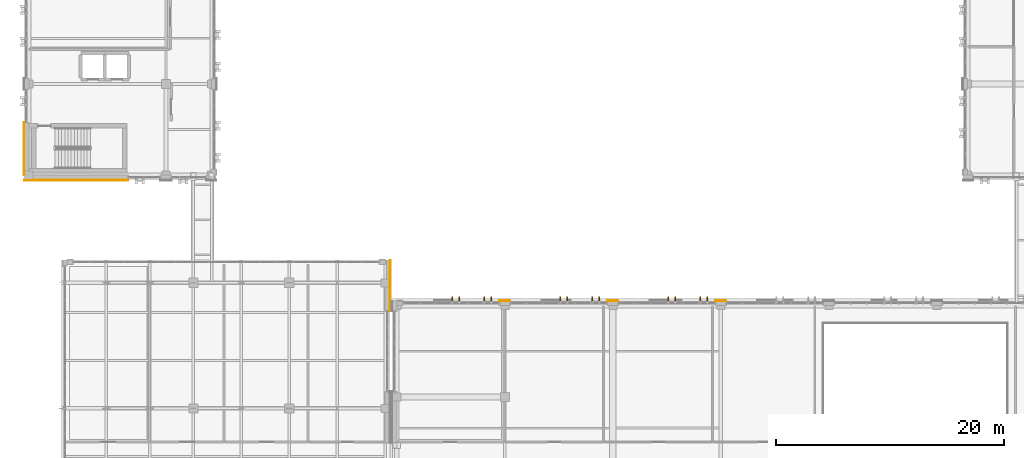
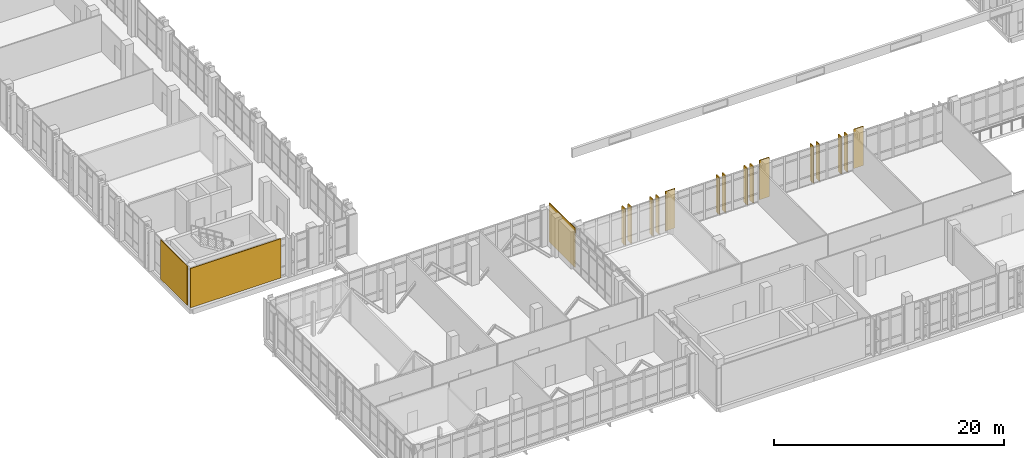
# One storey, part 145 of 158: 12 shading devices, 6 coverings.
"""IFC4 building model written with IfcOpenShell, lengths in metres."""

from ifc_helpers import new_model, si_unit, direction, frame, origin, origin_2d, place, context, subcontext, project, spatial, rectangle, extrude, material, layer, layer_set, type_object, element, save


model = new_model("IFC4")

# Units and contexts
model_context = context("Model", 3, precision=1e-05, world=origin(), true_north=direction((0.0, 1.0)))
body_context = subcontext(model_context, "Body", "Model", "MODEL_VIEW")
ifc_project = project(units=[si_unit("LENGTHUNIT", "METRE"), si_unit("AREAUNIT", "SQUARE_METRE"), si_unit("VOLUMEUNIT", "CUBIC_METRE"), si_unit("PLANEANGLEUNIT", "RADIAN"), si_unit("MASSUNIT", "GRAM", prefix="KILO")], contexts=[model_context])

# Site, building, storey
site_placement = place(None, origin())
site = spatial("IfcSite", under=ifc_project, at=site_placement, CompositionType="ELEMENT")
building_placement = place(site_placement, origin())
building = spatial("IfcBuilding", under=site, at=building_placement, Name="Qalavern Law Courts", CompositionType="ELEMENT")
storey_placement = place(building_placement, frame((0.0, 0.0, 18.60009765625)))
storey = spatial("IfcBuildingStorey", under=building, at=storey_placement, Name="L04", CompositionType="ELEMENT", Elevation=18.60009765625)

# Coverings
ifc_material = material(Name="Precast concrete C40/50", Category="concrete")
ifc_layer = layer(ifc_material, 0.072021484375)
ifc_layer_set = layer_set([ifc_layer], Name="Precast concrete C40/50")
covering_type = type_object("IfcCoveringType", Name="ENV-CLD-2", PredefinedType="CLADDING", material=ifc_layer_set)
covering_1_placement = place(storey_placement, frame((34.032958984375, 31.75, 0.009765625), z_axis=(0.0, 0.0, 1.0), x_axis=(0.0, 1.0, 0.0)))
element("IfcCovering", 1, at=covering_1_placement, inside=storey, type_object=covering_type, Name="V1 Absheron limestone pier facing L04 east 2", PredefinedType="CLADDING", context=body_context, shape_type="SweptSolid", body=[
    extrude(rectangle(XDim=4.47998046875, YDim=0.072021484375, at=origin_2d()), origin(), (0.0, 0.0, 1.0), 4.179931640625),
])
for number, where, z_axis, x_axis, name in (
    (2, (62.98291015625, 30.43310546875, 0.009765625), (0.0, 0.0, 1.0), (-1.0, 0.0, 0.0), "V2 Absheron limestone pier facing L04 north 5"),
    (3, (53.528564453125, 30.43310546875, 0.009765625), (0.0, 0.0, 1.0), (-1.0, 0.0, 0.0), "V2 Absheron limestone pier facing L04 north 6"),
    (4, (44.07421875, 30.43310546875, 0.009765625), (0.0, 0.0, 1.0), (-1.0, 0.0, 0.0), "V2 Absheron limestone pier facing L04 north 7"),
):
    element("IfcCovering", number, at=place(storey_placement, frame(where, z_axis=z_axis, x_axis=x_axis)), inside=storey, type_object=covering_type, Name=name, PredefinedType="CLADDING", context=body_context, shape_type="SweptSolid", body=[
        extrude(rectangle(XDim=0.97998046875, YDim=0.072021484375, at=origin_2d()), origin(), (0.0, 0.0, 1.0), 4.179931640625),
    ])
covering_2_placement = place(storey_placement, frame((6.550048828125, 40.987060546875, 0.009765625), z_axis=(0.0, 0.0, 1.0), x_axis=(1.0, 0.0, 0.0)))
element("IfcCovering", 5, at=covering_2_placement, inside=storey, type_object=covering_type, Name="V3 Absheron limestone pier facing L04 south 1", PredefinedType="CLADDING", context=body_context, shape_type="SweptSolid", body=[
    extrude(rectangle(XDim=9.080078125, YDim=0.072021484375, at=origin_2d()), origin(), (0.0, 0.0, 1.0), 4.179931640625),
])
covering_3_placement = place(storey_placement, frame((1.967041015625, 43.732421875, 0.009765625), z_axis=(0.0, 0.0, 1.0), x_axis=(0.0, -1.0, 0.0)))
element("IfcCovering", 6, at=covering_3_placement, inside=storey, type_object=covering_type, Name="V3 Absheron limestone pier facing L04 west 8", PredefinedType="CLADDING", context=body_context, shape_type="SweptSolid", body=[
    extrude(rectangle(XDim=4.614990234375, YDim=0.072021484375, at=origin_2d()), origin(), (0.0, 0.0, 1.0), 4.179931640625),
])

# Shading devices
shading_device_type = type_object("IfcShadingDeviceType", Name="ENV-FIN-2", PredefinedType="USERDEFINED", material=ifc_material)
for number, where, z_axis, x_axis, name in (
    (7, (61.782958984375, 30.510009765625, 0.009765625), (0.0, 0.0, 1.0), (0.0, 1.0, 0.0), "Hall solar shading fin 0183"),
    (8, (61.182861328125, 30.510009765625, 0.009765625), (0.0, 0.0, 1.0), (0.0, 1.0, 0.0), "Hall solar shading fin 0184"),
    (9, (58.98291015625, 30.510009765625, 0.009765625), (0.0, 0.0, 1.0), (0.0, 1.0, 0.0), "Hall solar shading fin 0185"),
    (10, (58.3828125, 30.510009765625, 0.009765625), (0.0, 0.0, 1.0), (0.0, 1.0, 0.0), "Hall solar shading fin 0186"),
    (11, (52.32861328125, 30.510009765625, 0.009765625), (0.0, 0.0, 1.0), (0.0, 1.0, 0.0), "Hall solar shading fin 0187"),
    (12, (51.728515625, 30.510009765625, 0.009765625), (0.0, 0.0, 1.0), (0.0, 1.0, 0.0), "Hall solar shading fin 0188"),
    (13, (49.528564453125, 30.510009765625, 0.009765625), (0.0, 0.0, 1.0), (0.0, 1.0, 0.0), "Hall solar shading fin 0189"),
    (14, (48.9287109375, 30.510009765625, 0.009765625), (0.0, 0.0, 1.0), (0.0, 1.0, 0.0), "Hall solar shading fin 0190"),
    (15, (42.874267578125, 30.510009765625, 0.009765625), (0.0, 0.0, 1.0), (0.0, 1.0, 0.0), "Hall solar shading fin 0191"),
    (16, (42.2744140625, 30.510009765625, 0.009765625), (0.0, 0.0, 1.0), (0.0, 1.0, 0.0), "Hall solar shading fin 0192"),
    (17, (40.07421875, 30.510009765625, 0.009765625), (0.0, 0.0, 1.0), (0.0, 1.0, 0.0), "Hall solar shading fin 0193"),
    (18, (39.474365234375, 30.510009765625, 0.009765625), (0.0, 0.0, 1.0), (0.0, 1.0, 0.0), "Hall solar shading fin 0194"),
):
    element("IfcShadingDevice", number, at=place(storey_placement, frame(where, z_axis=z_axis, x_axis=x_axis)), inside=storey, type_object=shading_device_type, Name=name, ObjectType="FIN", PredefinedType="USERDEFINED", context=body_context, shape_type="SweptSolid", body=[
        extrude(rectangle(XDim=0.5400390625, YDim=0.10498046875, at=origin_2d()), origin(), (0.0, 0.0, 1.0), 3.905029296875),
    ])

save(model, "model.ifc")
